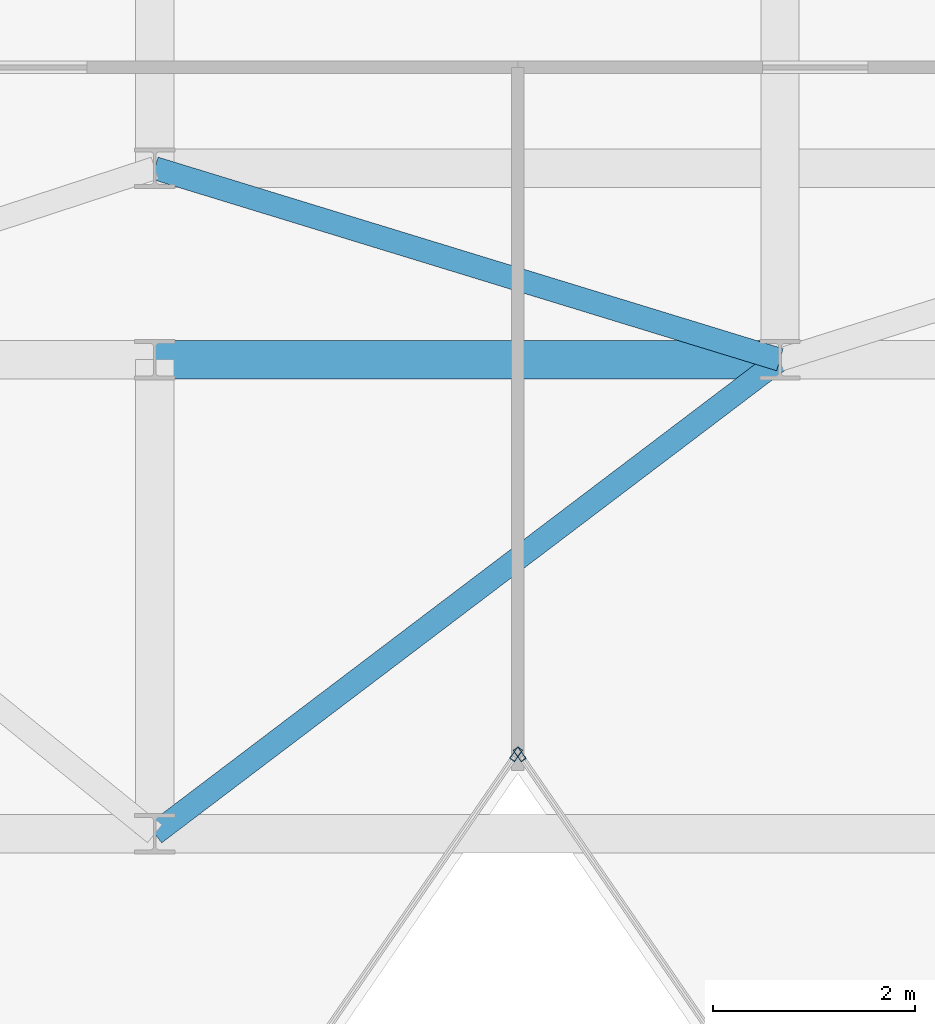
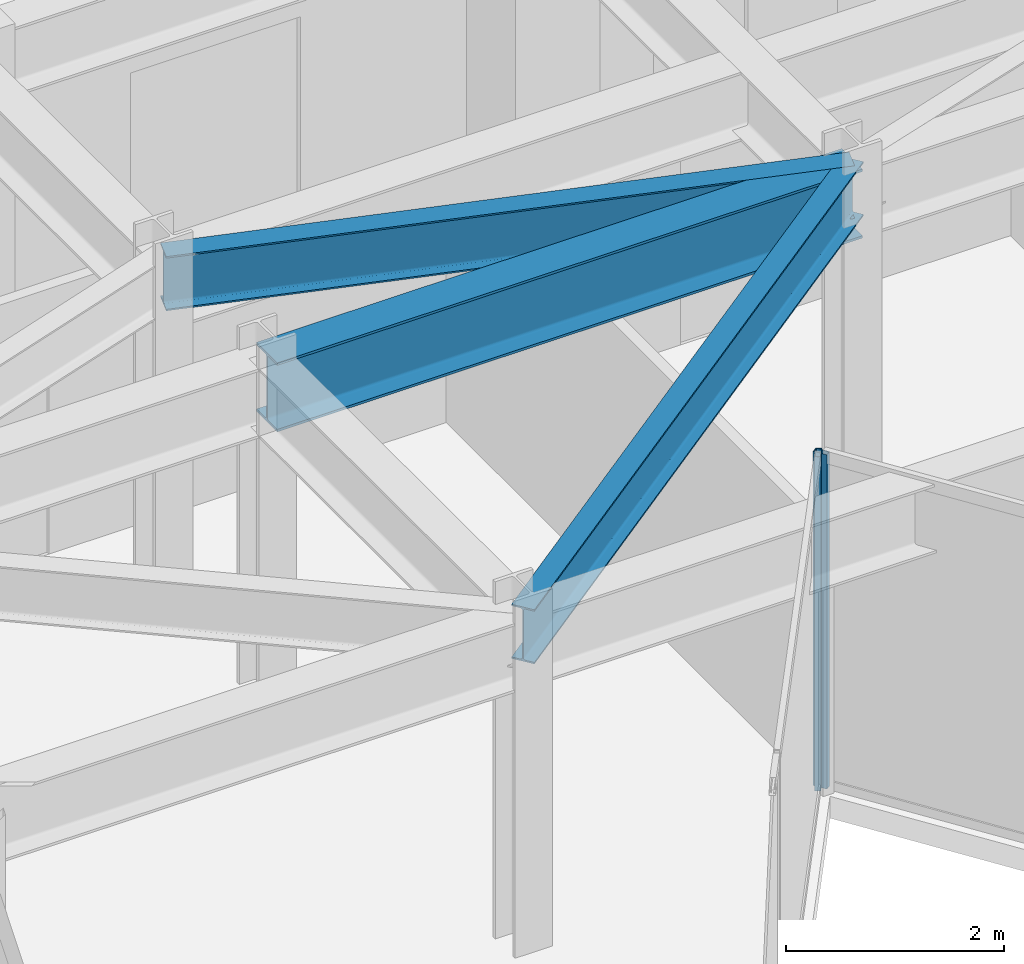
# One storey, part 8 of 21: 3 beams, 2 members, 2 elements without a shape of their own.
"""IFC4 building model written with IfcOpenShell, lengths in metres."""

from ifc_helpers import new_model, si_unit, direction, frame, origin, origin_2d, place, context, subcontext, project, spatial, hollow_rectangle, i_section, extrude, material, layer, layer_set, material_profile, profile_set, type_object, element, aggregate, save


model = new_model("IFC4")

# Units and contexts
model_context = context("Model", 3, precision=1e-05, world=origin(), true_north=direction((0.0, 1.0)))
body_context = subcontext(model_context, "Body", "Model", "MODEL_VIEW")
ifc_project = project(units=[si_unit("LENGTHUNIT", "METRE"), si_unit("AREAUNIT", "SQUARE_METRE"), si_unit("VOLUMEUNIT", "CUBIC_METRE"), si_unit("PLANEANGLEUNIT", "RADIAN"), si_unit("MASSUNIT", "GRAM", prefix="KILO")], contexts=[model_context])

# Site, building, storey
site_placement = place(None, origin())
site = spatial("IfcSite", under=ifc_project, at=site_placement, CompositionType="ELEMENT")
building_placement = place(site_placement, origin())
building = spatial("IfcBuilding", under=site, at=building_placement, Name="Kravanh Interchange Tower", CompositionType="ELEMENT")
storey_placement = place(building_placement, frame((0.0, 0.0, 216.5)))
storey = spatial("IfcBuildingStorey", under=building, at=storey_placement, Name="L52", CompositionType="ELEMENT", Elevation=216.5)

# Curtain wall, member
ifc_material_1 = material(Name="Anodised Bronze Aluminium", Category="aluminium")
ifc_layer = layer(ifc_material_1, 0.179931640625)
ifc_layer_set = layer_set([ifc_layer], Name="Unitised Curtain Wall System CW-Z3 Upper Office")
curtain_wall_type = type_object("IfcCurtainWallType", Name="Unitised Curtain Wall System CW-Z3 Upper Office", PredefinedType="NOTDEFINED", material=ifc_layer_set)
curtain_wall_1_placement = place(storey_placement, origin())
curtain_wall_1 = element("IfcCurtainWall", 1, at=curtain_wall_1_placement, inside=storey, type_object=curtain_wall_type, Name="L52 Unitised Curtain Wall CW-L52-03", PredefinedType="NOTDEFINED")
ifc_material_2 = material(Name="Anodised Bronze Aluminium", Category="aluminium")
ifc_material_profile_1 = material_profile(ifc_material_2, hollow_rectangle(XDim=0.06005859375, YDim=0.139892578125, WallThickness=0.00390625, at=origin_2d()), Name="ALU60X140X4")
ifc_profile_set_1 = profile_set([ifc_material_profile_1], Name="Anodised Bronze Aluminium")
member_type = type_object("IfcMemberType", Name="Curtain Wall Mullion ALU60X140X4 Bronze", PredefinedType="MULLION", material=ifc_profile_set_1)
member_1_placement = place(storey_placement, frame((42.217041015625, 27.587158203125, 0.0), z_axis=(0.0, 0.0, 1.0), x_axis=(-0.824042223035, -0.566528388217, 0.0)))
member_1 = element("IfcMember", 2, at=member_1_placement, type_object=member_type, Name="CW-Z3 mullion 5", PredefinedType="MULLION", context=body_context, shape_type="SweptSolid", body=[
    extrude(hollow_rectangle(XDim=0.06005859375, YDim=0.139892578125, WallThickness=0.00390625, at=origin_2d()), origin(), (0.0, 0.0, 1.0), 3.7451171875),
])
aggregate(curtain_wall_1, [member_1])

curtain_wall_2_placement = place(storey_placement, origin())
curtain_wall_2 = element("IfcCurtainWall", 3, at=curtain_wall_2_placement, inside=storey, type_object=curtain_wall_type, Name="L52 Unitised Curtain Wall CW-L52-04", PredefinedType="NOTDEFINED")
member_2_placement = place(storey_placement, frame((42.18310546875, 27.587158203125, 0.0), z_axis=(0.0, 0.0, 1.0), x_axis=(0.824042223035, -0.566528388217, 0.0)))
member_2 = element("IfcMember", 4, at=member_2_placement, type_object=member_type, Name="CW-Z3 mullion 1", PredefinedType="MULLION", context=body_context, shape_type="SweptSolid", body=[
    extrude(hollow_rectangle(XDim=0.06005859375, YDim=0.139892578125, WallThickness=0.00390625, at=origin_2d()), origin(), (0.0, 0.0, 1.0), 3.7451171875),
])
aggregate(curtain_wall_2, [member_2])

# Beams
ifc_material_3 = material(Name="Structural Steel S355", Category="steel")
ifc_material_profile_2 = material_profile(ifc_material_3, i_section(OverallWidth=0.381103515625, OverallDepth=0.77294921875, WebThickness=0.0166015625, FlangeThickness=0.027099609375, FilletRadius=0.02490234375, at=origin_2d()), Name="W30X173")
ifc_profile_set_2 = profile_set([ifc_material_profile_2], Name="Structural Steel S355")
beam_type_1 = type_object("IfcBeamType", Name="Floor Beam W30X173 Structural Steel S355", PredefinedType="BEAM", material=ifc_profile_set_2)
beam_1_placement = place(storey_placement, frame((38.60009765625, 31.5, 3.3583984375), z_axis=(1.0, 0.0, 0.0), x_axis=(0.0, 1.0, 0.0)))
element("IfcBeam", 5, at=beam_1_placement, inside=storey, type_object=beam_type_1, Name="L52 Primary Floor Girder 72", PredefinedType="BEAM", context=body_context, shape_type="SweptSolid", body=[
    extrude(i_section(OverallWidth=0.381103515625, OverallDepth=0.77294921875, WebThickness=0.0166015625, FlangeThickness=0.027099609375, FilletRadius=0.02490234375, at=origin_2d()), origin(), (0.0, 0.0, 1.0), 6.199951171875),
])
ifc_material_4 = material(Name="Structural Steel S355", Category="steel")
ifc_material_profile_3 = material_profile(ifc_material_4, i_section(OverallWidth=0.22802734375, OverallDepth=0.60791015625, WebThickness=0.01123046875, FlangeThickness=0.017333984375, FilletRadius=0.02197265625, at=origin_2d()), Name="W24X76")
ifc_profile_set_3 = profile_set([ifc_material_profile_3], Name="Structural Steel S355")
beam_type_2 = type_object("IfcBeamType", Name="Floor Spandrel W24X76 Structural Steel S355", PredefinedType="SPANDREL", material=ifc_profile_set_3)
beam_2_placement = place(storey_placement, frame((38.60009765625, 26.800048828125, 3.44091796875), z_axis=(0.796905365509, 0.604104161898, 0.0), x_axis=(-0.604104161898, 0.796905365509, 0.0)))
element("IfcBeam", 6, at=beam_2_placement, inside=storey, type_object=beam_type_2, Name="L52 Perimeter Spandrel 47", PredefinedType="SPANDREL", context=body_context, shape_type="SweptSolid", body=[
    extrude(i_section(OverallWidth=0.22802734375, OverallDepth=0.60791015625, WebThickness=0.01123046875, FlangeThickness=0.017333984375, FilletRadius=0.02197265625, at=origin_2d()), origin(), (0.0, 0.0, 1.0), 7.780029296875),
])
beam_3_placement = place(storey_placement, frame((44.800048828125, 31.5, 3.44091796875), z_axis=(-0.956115397264, 0.292990353279, 0.0), x_axis=(-0.292990353279, -0.956115397264, 0.0)))
element("IfcBeam", 7, at=beam_3_placement, inside=storey, type_object=beam_type_2, Name="L52 Perimeter Spandrel 76", PredefinedType="SPANDREL", context=body_context, shape_type="SweptSolid", body=[
    extrude(i_section(OverallWidth=0.22802734375, OverallDepth=0.60791015625, WebThickness=0.01123046875, FlangeThickness=0.017333984375, FilletRadius=0.02197265625, at=origin_2d()), origin(), (0.0, 0.0, 1.0), 6.484619140625),
])

save(model, "model.ifc")
